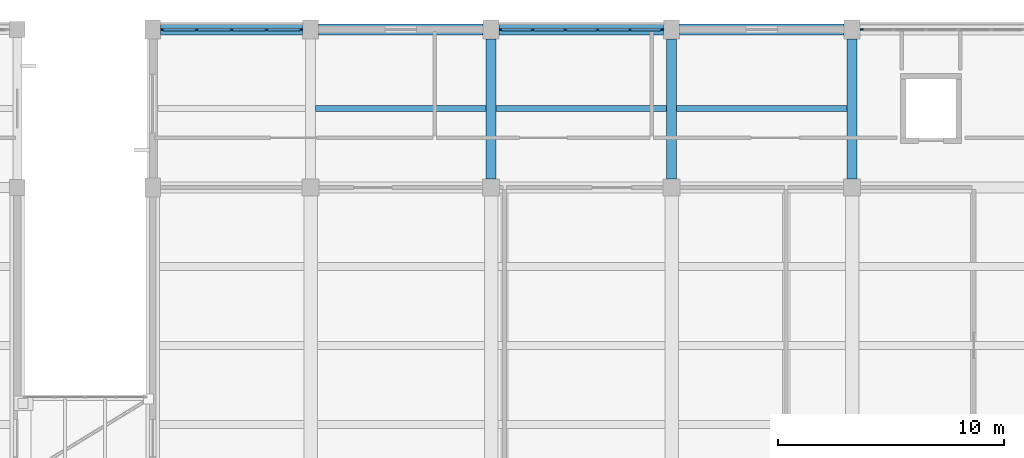
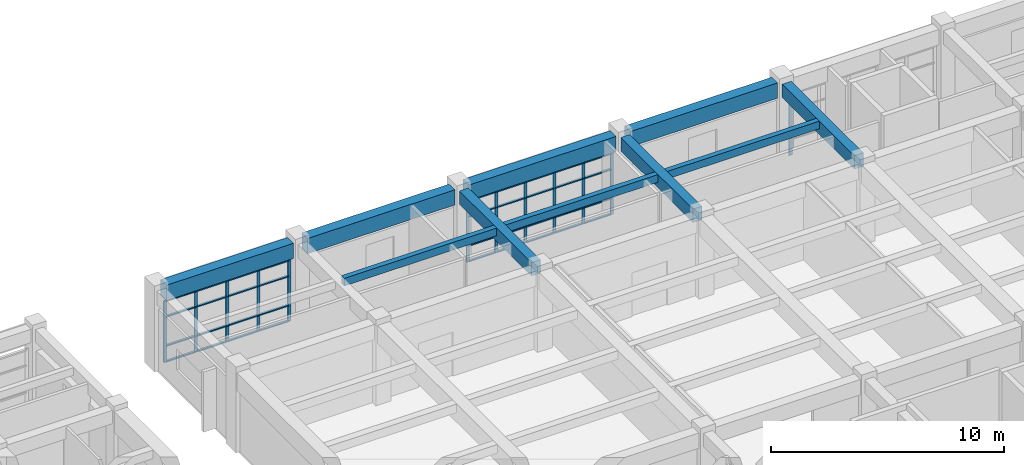
# One storey, part 30 of 70: 48 members, 10 beams, 3 elements without a shape of their own.
"""IFC4 building model written with IfcOpenShell, lengths in metres."""

import ifcopenshell
import ifcopenshell.guid

model = None  # the IFC model being written
_history = None  # IfcOwnerHistory: only IFC2X3 demands one
_inside = {}  # id of a spatial element -> (the spatial element, [elements in it])
_under = {}  # id of a project, library or spatial element -> (it, [spatial elements below it])
_declared = {}  # id of a project -> (the project, [libraries it declares])
_typed = {}  # id of a type object -> (the type object, [elements of that type])
_made_of = {}  # id of a material, layer set ... -> (it, [elements and type objects made of it])


def new_model(schema):
    """Start an empty IFC model of exactly this schema.

    Asked for "IFC4X3", IfcOpenShell would pick the latest addendum, in which some entities
    have other attributes; the version numbers below select the first issue.
    IFC2X3 requires an IfcOwnerHistory on every rooted entity: one is made here for all.
    """
    global model, _history
    if schema == "IFC4X3":
        model = ifcopenshell.file(schema_version=(4, 3, 0, 0))
    else:
        model = ifcopenshell.file(schema=schema)
    _inside.clear()
    _under.clear()
    _declared.clear()
    _typed.clear()
    _made_of.clear()
    _history = None
    if model.schema == "IFC2X3":
        org = make("IfcOrganization", Name="unknown")
        user = make(
            "IfcPersonAndOrganization",
            ThePerson=make("IfcPerson", FamilyName="unknown"),
            TheOrganization=org,
        )
        app = make(
            "IfcApplication",
            ApplicationDeveloper=org,
            Version="unknown",
            ApplicationFullName="unknown",
            ApplicationIdentifier="unknown",
        )
        _history = make(
            "IfcOwnerHistory",
            OwningUser=user,
            OwningApplication=app,
            ChangeAction="ADDED",
            CreationDate=0,
        )
    return model


def make(cls, **values):
    """One entity of the class cls with the attributes given. An attribute that is None is left unset."""
    return model.create_entity(
        cls, **{name: value for name, value in values.items() if value is not None}
    )


def rooted(cls, **values):
    """An entity with a GlobalId (a new one), such as an element, a storey or a relation."""
    return make(cls, GlobalId=ifcopenshell.guid.new(), OwnerHistory=_history, **values)


def si_unit(unit_type, name, prefix=None):
    """IfcSIUnit, for example si_unit("LENGTHUNIT", "METRE", prefix="MILLI")."""
    return make("IfcSIUnit", UnitType=unit_type, Prefix=prefix, Name=name)


def assignment(units):
    """IfcUnitAssignment: the units of a project."""
    return None if units is None else make("IfcUnitAssignment", Units=units)


def point(xyz):
    """IfcCartesianPoint."""
    return None if xyz is None else make("IfcCartesianPoint", Coordinates=xyz)


def direction(xyz):
    """IfcDirection."""
    return None if xyz is None else make("IfcDirection", DirectionRatios=xyz)


def frame(location, z_axis=None, x_axis=None):
    """IfcAxis2Placement3D, a coordinate frame: its origin and axes. An axis left out is left unset."""
    return make(
        "IfcAxis2Placement3D",
        Location=point(location),
        Axis=direction(z_axis),
        RefDirection=direction(x_axis),
    )


def frame_2d(location, x_axis=None):
    """IfcAxis2Placement2D, a coordinate frame in the plane: its origin and x axis."""
    return make(
        "IfcAxis2Placement2D", Location=point(location), RefDirection=direction(x_axis)
    )


def origin():
    """The frame at (0, 0, 0) with its axes left unset."""
    return frame((0.0, 0.0, 0.0))


def origin_2d():
    """The frame at (0, 0) in the plane with its x axis left unset."""
    return frame_2d((0.0, 0.0))


def place(relative_to, where):
    """IfcLocalPlacement: puts the frame where relative to a parent placement (None: the world)."""
    return make(
        "IfcLocalPlacement", PlacementRelTo=relative_to, RelativePlacement=where
    )


def context(
    kind, dimensions, precision=None, world=None, true_north=None, identifier=None
):
    """IfcGeometricRepresentationContext, for example the 3D "Model" context."""
    return make(
        "IfcGeometricRepresentationContext",
        ContextIdentifier=identifier,
        ContextType=kind,
        CoordinateSpaceDimension=dimensions,
        Precision=precision,
        WorldCoordinateSystem=world,
        TrueNorth=true_north,
    )


def subcontext(parent, identifier, kind, view, scale=None):
    """IfcGeometricRepresentationSubContext, for example "Body" below "Model"."""
    return make(
        "IfcGeometricRepresentationSubContext",
        ContextIdentifier=identifier,
        ContextType=kind,
        ParentContext=parent,
        TargetScale=scale,
        TargetView=view,
    )


def project(units=None, contexts=None):
    """IfcProject with its units and contexts."""
    return rooted(
        "IfcProject",
        Name="project",
        RepresentationContexts=contexts,
        UnitsInContext=assignment(units),
    )


def spatial(cls, under=None, at=None, **own):
    """A site, building, storey or space (cls), placed at a placement, below another one or the project."""
    s = rooted(cls, ObjectPlacement=at, **own)
    if under is not None:
        _under.setdefault(under.id(), (under, []))[1].append(s)
    return s


def profile(cls, at=None, kind="AREA", **sizes):
    """A parametric profile (cls). Its sizes go by their IFC names, for example OverallWidth=200.0."""
    return make(cls, ProfileType=kind, Position=at, **sizes)


def rectangle(**sizes):
    """IfcRectangleProfileDef."""
    return profile("IfcRectangleProfileDef", **sizes)


def extrude(swept, where, along, depth):
    """IfcExtrudedAreaSolid: the profile swept, set in the frame where, extruded along a direction by depth."""
    return make(
        "IfcExtrudedAreaSolid",
        SweptArea=swept,
        Position=where,
        ExtrudedDirection=direction(along),
        Depth=depth,
    )


def shape(context_of_items, identifier, shape_type, items):
    """IfcShapeRepresentation: the items that make up one representation, for example the "Body"."""
    return make(
        "IfcShapeRepresentation",
        ContextOfItems=context_of_items,
        RepresentationIdentifier=identifier,
        RepresentationType=shape_type,
        Items=items,
    )


def material(Name=None, Category=None):
    """IfcMaterial."""
    return make("IfcMaterial", Name=Name, Category=Category)


def layer(
    of_material, thickness, ventilated=None, Name=None, Category=None, Priority=None
):
    """IfcMaterialLayer: one layer of a wall or slab, of a material (None: an air gap)."""
    return make(
        "IfcMaterialLayer",
        Material=of_material,
        LayerThickness=thickness,
        IsVentilated=ventilated,
        Name=Name,
        Category=Category,
        Priority=Priority,
    )


def layer_set(layers, Name=None):
    """IfcMaterialLayerSet."""
    return make("IfcMaterialLayerSet", MaterialLayers=layers, LayerSetName=Name)


def material_profile(
    of_material, cross_section, Name=None, Category=None, Priority=None
):
    """IfcMaterialProfile: a cross section and its material."""
    return make(
        "IfcMaterialProfile",
        Name=Name,
        Material=of_material,
        Profile=cross_section,
        Priority=Priority,
        Category=Category,
    )


def profile_set(profiles, Name=None, composite=None):
    """IfcMaterialProfileSet."""
    return make(
        "IfcMaterialProfileSet",
        Name=Name,
        MaterialProfiles=profiles,
        CompositeProfile=composite,
    )


def made_of(thing, what):
    """Note that an element or type object is made of a material, layer set ...; save() writes the relation."""
    if what is not None:
        _made_of.setdefault(what.id(), (what, []))[1].append(thing)
    return thing


def type_object(cls, material=None, **own):
    """A type object (cls), such as IfcWallType, which elements share."""
    return made_of(rooted(cls, **own), material)


def element(
    cls,
    number,
    at=None,
    inside=None,
    cuts=None,
    type_object=None,
    material=None,
    context=None,
    identifier="Body",
    shape_type=None,
    held_by="IfcProductDefinitionShape",
    body=None,
    shapes=None,
    **own,
):
    """One element of the class cls, such as IfcWall. Its Tag is "e" and its number.

    at: its placement. inside: the storey or other place that contains it. cuts: it is an
    opening in that element (IfcRelVoidsElement). A single representation is given by context,
    identifier, shape_type and body (its items); several are given by shapes. held_by: the class
    of the entity that holds the representations. save() writes the other relations.
    """
    e = rooted(cls, Tag="e%d" % number, ObjectPlacement=at, **own)
    if body is not None:
        shapes = [shape(context, identifier, shape_type, body)]
    if shapes is not None:
        e.Representation = make(held_by, Representations=shapes)
    if inside is not None:
        _inside.setdefault(inside.id(), (inside, []))[1].append(e)
    if cuts is not None:
        rooted(
            "IfcRelVoidsElement", RelatingBuildingElement=cuts, RelatedOpeningElement=e
        )
    if type_object is not None:
        _typed.setdefault(type_object.id(), (type_object, []))[1].append(e)
    return made_of(e, material)


def aggregate(whole, parts):
    """IfcRelAggregates: a whole, such as a stair, and the parts it consists of."""
    return rooted("IfcRelAggregates", RelatingObject=whole, RelatedObjects=parts)


def save(model, path):
    """Write the relations noted so far, then the file.

    IfcRelAggregates (storeys below a building ...), IfcRelContainedInSpatialStructure (elements
    in a storey), IfcRelDefinesByType, IfcRelAssociatesMaterial and IfcRelDeclares: one each for
    every whole, place, type object, material and project.
    """
    for whole, parts in _under.values():
        aggregate(whole, parts)
    for where, things in _inside.values():
        rooted(
            "IfcRelContainedInSpatialStructure",
            RelatedElements=things,
            RelatingStructure=where,
        )
    for kind, things in _typed.values():
        rooted("IfcRelDefinesByType", RelatedObjects=things, RelatingType=kind)
    for what, things in _made_of.values():
        rooted("IfcRelAssociatesMaterial", RelatedObjects=things, RelatingMaterial=what)
    for by, libraries in _declared.values():
        rooted("IfcRelDeclares", RelatingContext=by, RelatedDefinitions=libraries)
    model.write(path)


model = new_model("IFC4")

# Units and contexts
model_context = context("Model", 3, precision=1e-05, world=origin(), true_north=direction((0.0, 1.0)))
body_context = subcontext(model_context, "Body", "Model", "MODEL_VIEW")
ifc_project = project(units=[si_unit("LENGTHUNIT", "METRE"), si_unit("AREAUNIT", "SQUARE_METRE"), si_unit("VOLUMEUNIT", "CUBIC_METRE"), si_unit("PLANEANGLEUNIT", "RADIAN"), si_unit("MASSUNIT", "GRAM", prefix="KILO")], contexts=[model_context])

# Site, building, storey
site_placement = place(None, origin())
site = spatial("IfcSite", under=ifc_project, at=site_placement, CompositionType="ELEMENT")
building_placement = place(site_placement, origin())
building = spatial("IfcBuilding", under=site, at=building_placement, Name="Naurynzar Civic Courthouse", CompositionType="ELEMENT")
storey_placement = place(building_placement, frame((0.0, 0.0, 5.39990234375)))
storey = spatial("IfcBuildingStorey", under=building, at=storey_placement, Name="L02", CompositionType="ELEMENT", Elevation=5.39990234375)

# Beams
ifc_material_1 = material(Name="Concrete C40/50", Category="concrete")
ifc_material_profile_1 = material_profile(ifc_material_1, rectangle(XDim=0.25, YDim=0.39990234375, at=origin_2d()), Name="RCB 250x400")
ifc_profile_set_1 = profile_set([ifc_material_profile_1], Name="Concrete C40/50")
beam_type_1 = type_object("IfcBeamType", Name="BM-JST-250x400", PredefinedType="JOIST", material=ifc_profile_set_1)
for number, where, z_axis, x_axis, name in (
    (1, (69.22509765625, 68.5, 4.0), (1.0, 0.0, 0.0), (0.0, 1.0, 0.0), "V2 secondary rib 555 L02"),
    (2, (77.22509765625, 68.5, 4.0), (1.0, 0.0, 0.0), (0.0, 1.0, 0.0), "V2 secondary rib 556 L02"),
    (3, (85.22509765625, 68.5, 4.0), (1.0, 0.0, 0.0), (0.0, 1.0, 0.0), "V2 secondary rib 557 L02"),
):
    element("IfcBeam", number, at=place(storey_placement, frame(where, z_axis=z_axis, x_axis=x_axis)), inside=storey, type_object=beam_type_1, Name=name, PredefinedType="JOIST", context=body_context, shape_type="SweptSolid", body=[
        extrude(rectangle(XDim=0.25, YDim=0.39990234375, at=origin_2d()), origin(), (0.0, 0.0, 1.0), 7.5498046875),
    ])
ifc_material_2 = material(Name="Concrete C40/50", Category="concrete")
ifc_material_profile_2 = material_profile(ifc_material_2, rectangle(XDim=0.449951171875, YDim=0.699951171875, at=origin_2d()), Name="RCB 450x700")
ifc_profile_set_2 = profile_set([ifc_material_profile_2], Name="Concrete C40/50")
beam_type_2 = type_object("IfcBeamType", Name="BM-RC-450x700", PredefinedType="BEAM", material=ifc_profile_set_2)
for number, where, z_axis, x_axis, name in (
    (4, (77.0, 65.375, 3.85009765625), (0.0, 1.0, 0.0), (-1.0, 0.0, 0.0), "V2 girder Y-507 L02"),
    (5, (85.0, 65.375, 3.85009765625), (0.0, 1.0, 0.0), (-1.0, 0.0, 0.0), "V2 girder Y-510 L02"),
    (6, (93.0, 65.375, 3.85009765625), (0.0, 1.0, 0.0), (-1.0, 0.0, 0.0), "V2 girder Y-513 L02"),
):
    element("IfcBeam", number, at=place(storey_placement, frame(where, z_axis=z_axis, x_axis=x_axis)), inside=storey, type_object=beam_type_2, Name=name, PredefinedType="BEAM", context=body_context, shape_type="SweptSolid", body=[
        extrude(rectangle(XDim=0.449951171875, YDim=0.699951171875, at=origin_2d()), origin(), (0.0, 0.0, 1.0), 6.199951171875),
    ])
ifc_material_3 = material(Name="Concrete C40/50", Category="concrete")
ifc_material_profile_3 = material_profile(ifc_material_3, rectangle(XDim=0.5, YDim=0.800048828125, at=origin_2d()), Name="RCB 500x800")
ifc_profile_set_3 = profile_set([ifc_material_profile_3], Name="Concrete C40/50")
beam_type_3 = type_object("IfcBeamType", Name="BM-RC-500x800", PredefinedType="BEAM", material=ifc_profile_set_3)
beam_placement = place(storey_placement, frame((62.35009765625, 72.0, 3.800048828125), z_axis=(1.0, 0.0, 0.0), x_axis=(0.0, 1.0, 0.0)))
element("IfcBeam", 7, at=beam_placement, inside=storey, type_object=beam_type_3, Name="V2 beam X-491 L02", PredefinedType="BEAM", context=body_context, shape_type="SweptSolid", body=[
    extrude(rectangle(XDim=0.5, YDim=0.800048828125, at=origin_2d()), origin(), (0.0, 0.0, 1.0), 6.2998046875),
])
for number, where, z_axis, x_axis, name in (
    (8, (69.35009765625, 72.0, 3.800048828125), (1.0, 0.0, 0.0), (0.0, 1.0, 0.0), "V2 beam X-492 L02"),
    (9, (77.35009765625, 72.0, 3.800048828125), (1.0, 0.0, 0.0), (0.0, 1.0, 0.0), "V2 beam X-493 L02"),
    (10, (85.35009765625, 72.0, 3.800048828125), (1.0, 0.0, 0.0), (0.0, 1.0, 0.0), "V2 beam X-494 L02"),
):
    element("IfcBeam", number, at=place(storey_placement, frame(where, z_axis=z_axis, x_axis=x_axis)), inside=storey, type_object=beam_type_3, Name=name, PredefinedType="BEAM", context=body_context, shape_type="SweptSolid", body=[
        extrude(rectangle(XDim=0.5, YDim=0.800048828125, at=origin_2d()), origin(), (0.0, 0.0, 1.0), 7.2998046875),
    ])

# Curtain wall, members
ifc_material_4 = material(Name="Aluminium 6063-T6", Category="aluminium")
ifc_layer = layer(ifc_material_4, 0.179931640625)
ifc_layer_set = layer_set([ifc_layer], Name="CW-UNIT-1500")
curtain_wall_type = type_object("IfcCurtainWallType", Name="CW-UNIT-1500", PredefinedType="NOTDEFINED", material=ifc_layer_set)
curtain_wall_1_placement = place(storey_placement, origin())
curtain_wall_1 = element("IfcCurtainWall", 11, at=curtain_wall_1_placement, inside=storey, type_object=curtain_wall_type, Name="V2 unitised curtain wall 19 L02", PredefinedType="NOTDEFINED")
ifc_material_5 = material(Name="Aluminium 6063-T6", Category="aluminium")
ifc_material_profile_4 = material_profile(ifc_material_5, rectangle(XDim=0.06005859375, YDim=0.14990234375, at=origin_2d()), Name="ALU MULLION 60x150")
ifc_profile_set_4 = profile_set([ifc_material_profile_4], Name="Aluminium 6063-T6")
member_type_1 = type_object("IfcMemberType", Name="CWM-60x150", PredefinedType="MULLION", material=ifc_profile_set_4)
member_1_placement = place(storey_placement, frame((62.429931640625, 72.0, 0.0), z_axis=(0.0, 0.0, 1.0), x_axis=(0.0, 1.0, 0.0)))
member_1 = element("IfcMember", 12, at=member_1_placement, type_object=member_type_1, Name="CW-01 mullion 1", PredefinedType="MULLION", context=body_context, shape_type="SweptSolid", body=[
    extrude(rectangle(XDim=0.06005859375, YDim=0.14990234375, at=origin_2d()), origin(), (0.0, 0.0, 1.0), 3.22998046875),
])
member_2_placement = place(storey_placement, frame((63.949951171875, 72.0, 0.0), z_axis=(0.0, 0.0, 1.0), x_axis=(0.0, 1.0, 0.0)))
member_2 = element("IfcMember", 13, at=member_2_placement, type_object=member_type_1, Name="CW-01 mullion 2", PredefinedType="MULLION", context=body_context, shape_type="SweptSolid", body=[
    extrude(rectangle(XDim=0.06005859375, YDim=0.14990234375, at=origin_2d()), origin(), (0.0, 0.0, 1.0), 3.22998046875),
])
member_3_placement = place(storey_placement, frame((65.5, 72.0, 0.0), z_axis=(0.0, 0.0, 1.0), x_axis=(0.0, 1.0, 0.0)))
member_3 = element("IfcMember", 14, at=member_3_placement, type_object=member_type_1, Name="CW-01 mullion 3", PredefinedType="MULLION", context=body_context, shape_type="SweptSolid", body=[
    extrude(rectangle(XDim=0.06005859375, YDim=0.14990234375, at=origin_2d()), origin(), (0.0, 0.0, 1.0), 3.22998046875),
])
member_4_placement = place(storey_placement, frame((67.050048828125, 72.0, 0.0), z_axis=(0.0, 0.0, 1.0), x_axis=(0.0, 1.0, 0.0)))
member_4 = element("IfcMember", 15, at=member_4_placement, type_object=member_type_1, Name="CW-01 mullion 4", PredefinedType="MULLION", context=body_context, shape_type="SweptSolid", body=[
    extrude(rectangle(XDim=0.06005859375, YDim=0.14990234375, at=origin_2d()), origin(), (0.0, 0.0, 1.0), 3.22998046875),
])
member_5_placement = place(storey_placement, frame((68.570068359375, 72.0, 0.0), z_axis=(0.0, 0.0, 1.0), x_axis=(0.0, 1.0, 0.0)))
member_5 = element("IfcMember", 16, at=member_5_placement, type_object=member_type_1, Name="CW-01 mullion 5", PredefinedType="MULLION", context=body_context, shape_type="SweptSolid", body=[
    extrude(rectangle(XDim=0.06005859375, YDim=0.14990234375, at=origin_2d()), origin(), (0.0, 0.0, 1.0), 3.22998046875),
])

curtain_wall_2_placement = place(storey_placement, origin())
curtain_wall_2 = element("IfcCurtainWall", 17, at=curtain_wall_2_placement, inside=storey, type_object=curtain_wall_type, Name="V2 unitised curtain wall 20 L02", PredefinedType="NOTDEFINED")
member_6_placement = place(storey_placement, frame((77.429931640625, 72.0, 0.0), z_axis=(0.0, 0.0, 1.0), x_axis=(0.0, 1.0, 0.0)))
member_6 = element("IfcMember", 18, at=member_6_placement, type_object=member_type_1, Name="CW-01 mullion 1", PredefinedType="MULLION", context=body_context, shape_type="SweptSolid", body=[
    extrude(rectangle(XDim=0.06005859375, YDim=0.14990234375, at=origin_2d()), origin(), (0.0, 0.0, 1.0), 3.22998046875),
])
member_7_placement = place(storey_placement, frame((78.840087890625, 72.0, 0.0), z_axis=(0.0, 0.0, 1.0), x_axis=(0.0, 1.0, 0.0)))
member_7 = element("IfcMember", 19, at=member_7_placement, type_object=member_type_1, Name="CW-01 mullion 2", PredefinedType="MULLION", context=body_context, shape_type="SweptSolid", body=[
    extrude(rectangle(XDim=0.06005859375, YDim=0.14990234375, at=origin_2d()), origin(), (0.0, 0.0, 1.0), 3.22998046875),
])
member_8_placement = place(storey_placement, frame((80.280029296875, 72.0, 0.0), z_axis=(0.0, 0.0, 1.0), x_axis=(0.0, 1.0, 0.0)))
member_8 = element("IfcMember", 20, at=member_8_placement, type_object=member_type_1, Name="CW-01 mullion 3", PredefinedType="MULLION", context=body_context, shape_type="SweptSolid", body=[
    extrude(rectangle(XDim=0.06005859375, YDim=0.14990234375, at=origin_2d()), origin(), (0.0, 0.0, 1.0), 3.22998046875),
])
member_9_placement = place(storey_placement, frame((81.719970703125, 72.0, 0.0), z_axis=(0.0, 0.0, 1.0), x_axis=(0.0, 1.0, 0.0)))
member_9 = element("IfcMember", 21, at=member_9_placement, type_object=member_type_1, Name="CW-01 mullion 4", PredefinedType="MULLION", context=body_context, shape_type="SweptSolid", body=[
    extrude(rectangle(XDim=0.06005859375, YDim=0.14990234375, at=origin_2d()), origin(), (0.0, 0.0, 1.0), 3.22998046875),
])
member_10_placement = place(storey_placement, frame((83.159912109375, 72.0, 0.0), z_axis=(0.0, 0.0, 1.0), x_axis=(0.0, 1.0, 0.0)))
member_10 = element("IfcMember", 22, at=member_10_placement, type_object=member_type_1, Name="CW-01 mullion 5", PredefinedType="MULLION", context=body_context, shape_type="SweptSolid", body=[
    extrude(rectangle(XDim=0.06005859375, YDim=0.14990234375, at=origin_2d()), origin(), (0.0, 0.0, 1.0), 3.22998046875),
])
member_11_placement = place(storey_placement, frame((84.570068359375, 72.0, 0.0), z_axis=(0.0, 0.0, 1.0), x_axis=(0.0, 1.0, 0.0)))
member_11 = element("IfcMember", 23, at=member_11_placement, type_object=member_type_1, Name="CW-01 mullion 6", PredefinedType="MULLION", context=body_context, shape_type="SweptSolid", body=[
    extrude(rectangle(XDim=0.06005859375, YDim=0.14990234375, at=origin_2d()), origin(), (0.0, 0.0, 1.0), 3.22998046875),
])

# Curtain wall, member
curtain_wall_3_placement = place(storey_placement, origin())
curtain_wall_3 = element("IfcCurtainWall", 24, at=curtain_wall_3_placement, inside=storey, type_object=curtain_wall_type, Name="V2 unitised curtain wall 21 L02", PredefinedType="NOTDEFINED")
member_12_placement = place(storey_placement, frame((93.429931640625, 72.0, 0.0), z_axis=(0.0, 0.0, 1.0), x_axis=(0.0, 1.0, 0.0)))
member_12 = element("IfcMember", 25, at=member_12_placement, type_object=member_type_1, Name="CW-01 mullion 1", PredefinedType="MULLION", context=body_context, shape_type="SweptSolid", body=[
    extrude(rectangle(XDim=0.06005859375, YDim=0.14990234375, at=origin_2d()), origin(), (0.0, 0.0, 1.0), 3.22998046875),
])
aggregate(curtain_wall_3, [member_12])

# Member
ifc_material_6 = material(Name="Aluminium 6063-T6", Category="aluminium")
ifc_material_profile_5 = material_profile(ifc_material_6, rectangle(XDim=0.110107421875, YDim=0.06005859375, at=origin_2d()), Name="ALU TRANSOM 60x110")
ifc_profile_set_5 = profile_set([ifc_material_profile_5], Name="Aluminium 6063-T6")
member_type_2 = type_object("IfcMemberType", Name="CWT-60x110", PredefinedType="USERDEFINED", material=ifc_profile_set_5)
member_13_placement = place(storey_placement, frame((62.4599609375, 72.0, 0.030029296875), z_axis=(1.0, 0.0, 0.0), x_axis=(0.0, 1.0, 0.0)))
member_13 = element("IfcMember", 26, at=member_13_placement, type_object=member_type_2, Name="CW-01 transom 1.1", ObjectType="TRANSOM", PredefinedType="USERDEFINED", context=body_context, shape_type="SweptSolid", body=[
    extrude(rectangle(XDim=0.110107421875, YDim=0.06005859375, at=origin_2d()), origin(), (0.0, 0.0, 1.0), 1.4599609375),
])

member_14_placement = place(storey_placement, frame((62.4599609375, 72.0, 0.85009765625), z_axis=(1.0, 0.0, 0.0), x_axis=(0.0, 1.0, 0.0)))
member_14 = element("IfcMember", 27, at=member_14_placement, type_object=member_type_2, Name="CW-01 transom 1.2", ObjectType="TRANSOM", PredefinedType="USERDEFINED", context=body_context, shape_type="SweptSolid", body=[
    extrude(rectangle(XDim=0.110107421875, YDim=0.06005859375, at=origin_2d()), origin(), (0.0, 0.0, 1.0), 1.4599609375),
])

member_15_placement = place(storey_placement, frame((62.4599609375, 72.0, 2.380126953125), z_axis=(1.0, 0.0, 0.0), x_axis=(0.0, 1.0, 0.0)))
member_15 = element("IfcMember", 28, at=member_15_placement, type_object=member_type_2, Name="CW-01 transom 1.3", ObjectType="TRANSOM", PredefinedType="USERDEFINED", context=body_context, shape_type="SweptSolid", body=[
    extrude(rectangle(XDim=0.110107421875, YDim=0.06005859375, at=origin_2d()), origin(), (0.0, 0.0, 1.0), 1.4599609375),
])

member_16_placement = place(storey_placement, frame((62.4599609375, 72.0, 3.2001953125), z_axis=(1.0, 0.0, 0.0), x_axis=(0.0, 1.0, 0.0)))
member_16 = element("IfcMember", 29, at=member_16_placement, type_object=member_type_2, Name="CW-01 transom 1.4", ObjectType="TRANSOM", PredefinedType="USERDEFINED", context=body_context, shape_type="SweptSolid", body=[
    extrude(rectangle(XDim=0.110107421875, YDim=0.06005859375, at=origin_2d()), origin(), (0.0, 0.0, 1.0), 1.4599609375),
])

member_17_placement = place(storey_placement, frame((63.97998046875, 72.0, 0.030029296875), z_axis=(1.0, 0.0, 0.0), x_axis=(0.0, 1.0, 0.0)))
member_17 = element("IfcMember", 30, at=member_17_placement, type_object=member_type_2, Name="CW-01 transom 2.1", ObjectType="TRANSOM", PredefinedType="USERDEFINED", context=body_context, shape_type="SweptSolid", body=[
    extrude(rectangle(XDim=0.110107421875, YDim=0.06005859375, at=origin_2d()), origin(), (0.0, 0.0, 1.0), 1.489990234375),
])

member_18_placement = place(storey_placement, frame((63.97998046875, 72.0, 0.85009765625), z_axis=(1.0, 0.0, 0.0), x_axis=(0.0, 1.0, 0.0)))
member_18 = element("IfcMember", 31, at=member_18_placement, type_object=member_type_2, Name="CW-01 transom 2.2", ObjectType="TRANSOM", PredefinedType="USERDEFINED", context=body_context, shape_type="SweptSolid", body=[
    extrude(rectangle(XDim=0.110107421875, YDim=0.06005859375, at=origin_2d()), origin(), (0.0, 0.0, 1.0), 1.489990234375),
])

member_19_placement = place(storey_placement, frame((63.97998046875, 72.0, 2.380126953125), z_axis=(1.0, 0.0, 0.0), x_axis=(0.0, 1.0, 0.0)))
member_19 = element("IfcMember", 32, at=member_19_placement, type_object=member_type_2, Name="CW-01 transom 2.3", ObjectType="TRANSOM", PredefinedType="USERDEFINED", context=body_context, shape_type="SweptSolid", body=[
    extrude(rectangle(XDim=0.110107421875, YDim=0.06005859375, at=origin_2d()), origin(), (0.0, 0.0, 1.0), 1.489990234375),
])

member_20_placement = place(storey_placement, frame((63.97998046875, 72.0, 3.2001953125), z_axis=(1.0, 0.0, 0.0), x_axis=(0.0, 1.0, 0.0)))
member_20 = element("IfcMember", 33, at=member_20_placement, type_object=member_type_2, Name="CW-01 transom 2.4", ObjectType="TRANSOM", PredefinedType="USERDEFINED", context=body_context, shape_type="SweptSolid", body=[
    extrude(rectangle(XDim=0.110107421875, YDim=0.06005859375, at=origin_2d()), origin(), (0.0, 0.0, 1.0), 1.489990234375),
])

member_21_placement = place(storey_placement, frame((65.530029296875, 72.0, 0.030029296875), z_axis=(1.0, 0.0, 0.0), x_axis=(0.0, 1.0, 0.0)))
member_21 = element("IfcMember", 34, at=member_21_placement, type_object=member_type_2, Name="CW-01 transom 3.1", ObjectType="TRANSOM", PredefinedType="USERDEFINED", context=body_context, shape_type="SweptSolid", body=[
    extrude(rectangle(XDim=0.110107421875, YDim=0.06005859375, at=origin_2d()), origin(), (0.0, 0.0, 1.0), 1.489990234375),
])

member_22_placement = place(storey_placement, frame((65.530029296875, 72.0, 0.85009765625), z_axis=(1.0, 0.0, 0.0), x_axis=(0.0, 1.0, 0.0)))
member_22 = element("IfcMember", 35, at=member_22_placement, type_object=member_type_2, Name="CW-01 transom 3.2", ObjectType="TRANSOM", PredefinedType="USERDEFINED", context=body_context, shape_type="SweptSolid", body=[
    extrude(rectangle(XDim=0.110107421875, YDim=0.06005859375, at=origin_2d()), origin(), (0.0, 0.0, 1.0), 1.489990234375),
])

member_23_placement = place(storey_placement, frame((65.530029296875, 72.0, 2.380126953125), z_axis=(1.0, 0.0, 0.0), x_axis=(0.0, 1.0, 0.0)))
member_23 = element("IfcMember", 36, at=member_23_placement, type_object=member_type_2, Name="CW-01 transom 3.3", ObjectType="TRANSOM", PredefinedType="USERDEFINED", context=body_context, shape_type="SweptSolid", body=[
    extrude(rectangle(XDim=0.110107421875, YDim=0.06005859375, at=origin_2d()), origin(), (0.0, 0.0, 1.0), 1.489990234375),
])

member_24_placement = place(storey_placement, frame((65.530029296875, 72.0, 3.2001953125), z_axis=(1.0, 0.0, 0.0), x_axis=(0.0, 1.0, 0.0)))
member_24 = element("IfcMember", 37, at=member_24_placement, type_object=member_type_2, Name="CW-01 transom 3.4", ObjectType="TRANSOM", PredefinedType="USERDEFINED", context=body_context, shape_type="SweptSolid", body=[
    extrude(rectangle(XDim=0.110107421875, YDim=0.06005859375, at=origin_2d()), origin(), (0.0, 0.0, 1.0), 1.489990234375),
])

member_25_placement = place(storey_placement, frame((67.080078125, 72.0, 0.030029296875), z_axis=(1.0, 0.0, 0.0), x_axis=(0.0, 1.0, 0.0)))
member_25 = element("IfcMember", 38, at=member_25_placement, type_object=member_type_2, Name="CW-01 transom 4.1", ObjectType="TRANSOM", PredefinedType="USERDEFINED", context=body_context, shape_type="SweptSolid", body=[
    extrude(rectangle(XDim=0.110107421875, YDim=0.06005859375, at=origin_2d()), origin(), (0.0, 0.0, 1.0), 1.4599609375),
])

member_26_placement = place(storey_placement, frame((67.080078125, 72.0, 0.85009765625), z_axis=(1.0, 0.0, 0.0), x_axis=(0.0, 1.0, 0.0)))
member_26 = element("IfcMember", 39, at=member_26_placement, type_object=member_type_2, Name="CW-01 transom 4.2", ObjectType="TRANSOM", PredefinedType="USERDEFINED", context=body_context, shape_type="SweptSolid", body=[
    extrude(rectangle(XDim=0.110107421875, YDim=0.06005859375, at=origin_2d()), origin(), (0.0, 0.0, 1.0), 1.4599609375),
])

member_27_placement = place(storey_placement, frame((67.080078125, 72.0, 2.380126953125), z_axis=(1.0, 0.0, 0.0), x_axis=(0.0, 1.0, 0.0)))
member_27 = element("IfcMember", 40, at=member_27_placement, type_object=member_type_2, Name="CW-01 transom 4.3", ObjectType="TRANSOM", PredefinedType="USERDEFINED", context=body_context, shape_type="SweptSolid", body=[
    extrude(rectangle(XDim=0.110107421875, YDim=0.06005859375, at=origin_2d()), origin(), (0.0, 0.0, 1.0), 1.4599609375),
])

member_28_placement = place(storey_placement, frame((67.080078125, 72.0, 3.2001953125), z_axis=(1.0, 0.0, 0.0), x_axis=(0.0, 1.0, 0.0)))
member_28 = element("IfcMember", 41, at=member_28_placement, type_object=member_type_2, Name="CW-01 transom 4.4", ObjectType="TRANSOM", PredefinedType="USERDEFINED", context=body_context, shape_type="SweptSolid", body=[
    extrude(rectangle(XDim=0.110107421875, YDim=0.06005859375, at=origin_2d()), origin(), (0.0, 0.0, 1.0), 1.4599609375),
])

aggregate(curtain_wall_1, [member_1, member_2, member_3, member_4, member_5, member_13, member_14, member_15, member_16, member_17, member_18, member_19, member_20, member_21, member_22, member_23, member_24, member_25, member_26, member_27, member_28])

member_29_placement = place(storey_placement, frame((77.4599609375, 72.0, 0.030029296875), z_axis=(1.0, 0.0, 0.0), x_axis=(0.0, 1.0, 0.0)))
member_29 = element("IfcMember", 42, at=member_29_placement, type_object=member_type_2, Name="CW-01 transom 1.1", ObjectType="TRANSOM", PredefinedType="USERDEFINED", context=body_context, shape_type="SweptSolid", body=[
    extrude(rectangle(XDim=0.110107421875, YDim=0.06005859375, at=origin_2d()), origin(), (0.0, 0.0, 1.0), 1.35009765625),
])

member_30_placement = place(storey_placement, frame((77.4599609375, 72.0, 0.85009765625), z_axis=(1.0, 0.0, 0.0), x_axis=(0.0, 1.0, 0.0)))
member_30 = element("IfcMember", 43, at=member_30_placement, type_object=member_type_2, Name="CW-01 transom 1.2", ObjectType="TRANSOM", PredefinedType="USERDEFINED", context=body_context, shape_type="SweptSolid", body=[
    extrude(rectangle(XDim=0.110107421875, YDim=0.06005859375, at=origin_2d()), origin(), (0.0, 0.0, 1.0), 1.35009765625),
])

member_31_placement = place(storey_placement, frame((77.4599609375, 72.0, 2.380126953125), z_axis=(1.0, 0.0, 0.0), x_axis=(0.0, 1.0, 0.0)))
member_31 = element("IfcMember", 44, at=member_31_placement, type_object=member_type_2, Name="CW-01 transom 1.3", ObjectType="TRANSOM", PredefinedType="USERDEFINED", context=body_context, shape_type="SweptSolid", body=[
    extrude(rectangle(XDim=0.110107421875, YDim=0.06005859375, at=origin_2d()), origin(), (0.0, 0.0, 1.0), 1.35009765625),
])

member_32_placement = place(storey_placement, frame((77.4599609375, 72.0, 3.2001953125), z_axis=(1.0, 0.0, 0.0), x_axis=(0.0, 1.0, 0.0)))
member_32 = element("IfcMember", 45, at=member_32_placement, type_object=member_type_2, Name="CW-01 transom 1.4", ObjectType="TRANSOM", PredefinedType="USERDEFINED", context=body_context, shape_type="SweptSolid", body=[
    extrude(rectangle(XDim=0.110107421875, YDim=0.06005859375, at=origin_2d()), origin(), (0.0, 0.0, 1.0), 1.35009765625),
])

member_33_placement = place(storey_placement, frame((78.8701171875, 72.0, 0.030029296875), z_axis=(1.0, 0.0, 0.0), x_axis=(0.0, 1.0, 0.0)))
member_33 = element("IfcMember", 46, at=member_33_placement, type_object=member_type_2, Name="CW-01 transom 2.1", ObjectType="TRANSOM", PredefinedType="USERDEFINED", context=body_context, shape_type="SweptSolid", body=[
    extrude(rectangle(XDim=0.110107421875, YDim=0.06005859375, at=origin_2d()), origin(), (0.0, 0.0, 1.0), 1.3798828125),
])

member_34_placement = place(storey_placement, frame((78.8701171875, 72.0, 0.85009765625), z_axis=(1.0, 0.0, 0.0), x_axis=(0.0, 1.0, 0.0)))
member_34 = element("IfcMember", 47, at=member_34_placement, type_object=member_type_2, Name="CW-01 transom 2.2", ObjectType="TRANSOM", PredefinedType="USERDEFINED", context=body_context, shape_type="SweptSolid", body=[
    extrude(rectangle(XDim=0.110107421875, YDim=0.06005859375, at=origin_2d()), origin(), (0.0, 0.0, 1.0), 1.3798828125),
])

member_35_placement = place(storey_placement, frame((78.8701171875, 72.0, 2.380126953125), z_axis=(1.0, 0.0, 0.0), x_axis=(0.0, 1.0, 0.0)))
member_35 = element("IfcMember", 48, at=member_35_placement, type_object=member_type_2, Name="CW-01 transom 2.3", ObjectType="TRANSOM", PredefinedType="USERDEFINED", context=body_context, shape_type="SweptSolid", body=[
    extrude(rectangle(XDim=0.110107421875, YDim=0.06005859375, at=origin_2d()), origin(), (0.0, 0.0, 1.0), 1.3798828125),
])

member_36_placement = place(storey_placement, frame((78.8701171875, 72.0, 3.2001953125), z_axis=(1.0, 0.0, 0.0), x_axis=(0.0, 1.0, 0.0)))
member_36 = element("IfcMember", 49, at=member_36_placement, type_object=member_type_2, Name="CW-01 transom 2.4", ObjectType="TRANSOM", PredefinedType="USERDEFINED", context=body_context, shape_type="SweptSolid", body=[
    extrude(rectangle(XDim=0.110107421875, YDim=0.06005859375, at=origin_2d()), origin(), (0.0, 0.0, 1.0), 1.3798828125),
])

member_37_placement = place(storey_placement, frame((80.31005859375, 72.0, 0.030029296875), z_axis=(1.0, 0.0, 0.0), x_axis=(0.0, 1.0, 0.0)))
member_37 = element("IfcMember", 50, at=member_37_placement, type_object=member_type_2, Name="CW-01 transom 3.1", ObjectType="TRANSOM", PredefinedType="USERDEFINED", context=body_context, shape_type="SweptSolid", body=[
    extrude(rectangle(XDim=0.110107421875, YDim=0.06005859375, at=origin_2d()), origin(), (0.0, 0.0, 1.0), 1.3798828125),
])

member_38_placement = place(storey_placement, frame((80.31005859375, 72.0, 0.85009765625), z_axis=(1.0, 0.0, 0.0), x_axis=(0.0, 1.0, 0.0)))
member_38 = element("IfcMember", 51, at=member_38_placement, type_object=member_type_2, Name="CW-01 transom 3.2", ObjectType="TRANSOM", PredefinedType="USERDEFINED", context=body_context, shape_type="SweptSolid", body=[
    extrude(rectangle(XDim=0.110107421875, YDim=0.06005859375, at=origin_2d()), origin(), (0.0, 0.0, 1.0), 1.3798828125),
])

member_39_placement = place(storey_placement, frame((80.31005859375, 72.0, 2.380126953125), z_axis=(1.0, 0.0, 0.0), x_axis=(0.0, 1.0, 0.0)))
member_39 = element("IfcMember", 52, at=member_39_placement, type_object=member_type_2, Name="CW-01 transom 3.3", ObjectType="TRANSOM", PredefinedType="USERDEFINED", context=body_context, shape_type="SweptSolid", body=[
    extrude(rectangle(XDim=0.110107421875, YDim=0.06005859375, at=origin_2d()), origin(), (0.0, 0.0, 1.0), 1.3798828125),
])

member_40_placement = place(storey_placement, frame((80.31005859375, 72.0, 3.2001953125), z_axis=(1.0, 0.0, 0.0), x_axis=(0.0, 1.0, 0.0)))
member_40 = element("IfcMember", 53, at=member_40_placement, type_object=member_type_2, Name="CW-01 transom 3.4", ObjectType="TRANSOM", PredefinedType="USERDEFINED", context=body_context, shape_type="SweptSolid", body=[
    extrude(rectangle(XDim=0.110107421875, YDim=0.06005859375, at=origin_2d()), origin(), (0.0, 0.0, 1.0), 1.3798828125),
])

member_41_placement = place(storey_placement, frame((81.75, 72.0, 0.030029296875), z_axis=(1.0, 0.0, 0.0), x_axis=(0.0, 1.0, 0.0)))
member_41 = element("IfcMember", 54, at=member_41_placement, type_object=member_type_2, Name="CW-01 transom 4.1", ObjectType="TRANSOM", PredefinedType="USERDEFINED", context=body_context, shape_type="SweptSolid", body=[
    extrude(rectangle(XDim=0.110107421875, YDim=0.06005859375, at=origin_2d()), origin(), (0.0, 0.0, 1.0), 1.3798828125),
])

member_42_placement = place(storey_placement, frame((81.75, 72.0, 0.85009765625), z_axis=(1.0, 0.0, 0.0), x_axis=(0.0, 1.0, 0.0)))
member_42 = element("IfcMember", 55, at=member_42_placement, type_object=member_type_2, Name="CW-01 transom 4.2", ObjectType="TRANSOM", PredefinedType="USERDEFINED", context=body_context, shape_type="SweptSolid", body=[
    extrude(rectangle(XDim=0.110107421875, YDim=0.06005859375, at=origin_2d()), origin(), (0.0, 0.0, 1.0), 1.3798828125),
])

member_43_placement = place(storey_placement, frame((81.75, 72.0, 2.380126953125), z_axis=(1.0, 0.0, 0.0), x_axis=(0.0, 1.0, 0.0)))
member_43 = element("IfcMember", 56, at=member_43_placement, type_object=member_type_2, Name="CW-01 transom 4.3", ObjectType="TRANSOM", PredefinedType="USERDEFINED", context=body_context, shape_type="SweptSolid", body=[
    extrude(rectangle(XDim=0.110107421875, YDim=0.06005859375, at=origin_2d()), origin(), (0.0, 0.0, 1.0), 1.3798828125),
])

member_44_placement = place(storey_placement, frame((81.75, 72.0, 3.2001953125), z_axis=(1.0, 0.0, 0.0), x_axis=(0.0, 1.0, 0.0)))
member_44 = element("IfcMember", 57, at=member_44_placement, type_object=member_type_2, Name="CW-01 transom 4.4", ObjectType="TRANSOM", PredefinedType="USERDEFINED", context=body_context, shape_type="SweptSolid", body=[
    extrude(rectangle(XDim=0.110107421875, YDim=0.06005859375, at=origin_2d()), origin(), (0.0, 0.0, 1.0), 1.3798828125),
])

member_45_placement = place(storey_placement, frame((83.18994140625, 72.0, 0.030029296875), z_axis=(1.0, 0.0, 0.0), x_axis=(0.0, 1.0, 0.0)))
member_45 = element("IfcMember", 58, at=member_45_placement, type_object=member_type_2, Name="CW-01 transom 5.1", ObjectType="TRANSOM", PredefinedType="USERDEFINED", context=body_context, shape_type="SweptSolid", body=[
    extrude(rectangle(XDim=0.110107421875, YDim=0.06005859375, at=origin_2d()), origin(), (0.0, 0.0, 1.0), 1.35009765625),
])

member_46_placement = place(storey_placement, frame((83.18994140625, 72.0, 0.85009765625), z_axis=(1.0, 0.0, 0.0), x_axis=(0.0, 1.0, 0.0)))
member_46 = element("IfcMember", 59, at=member_46_placement, type_object=member_type_2, Name="CW-01 transom 5.2", ObjectType="TRANSOM", PredefinedType="USERDEFINED", context=body_context, shape_type="SweptSolid", body=[
    extrude(rectangle(XDim=0.110107421875, YDim=0.06005859375, at=origin_2d()), origin(), (0.0, 0.0, 1.0), 1.35009765625),
])

member_47_placement = place(storey_placement, frame((83.18994140625, 72.0, 2.380126953125), z_axis=(1.0, 0.0, 0.0), x_axis=(0.0, 1.0, 0.0)))
member_47 = element("IfcMember", 60, at=member_47_placement, type_object=member_type_2, Name="CW-01 transom 5.3", ObjectType="TRANSOM", PredefinedType="USERDEFINED", context=body_context, shape_type="SweptSolid", body=[
    extrude(rectangle(XDim=0.110107421875, YDim=0.06005859375, at=origin_2d()), origin(), (0.0, 0.0, 1.0), 1.35009765625),
])

member_48_placement = place(storey_placement, frame((83.18994140625, 72.0, 3.2001953125), z_axis=(1.0, 0.0, 0.0), x_axis=(0.0, 1.0, 0.0)))
member_48 = element("IfcMember", 61, at=member_48_placement, type_object=member_type_2, Name="CW-01 transom 5.4", ObjectType="TRANSOM", PredefinedType="USERDEFINED", context=body_context, shape_type="SweptSolid", body=[
    extrude(rectangle(XDim=0.110107421875, YDim=0.06005859375, at=origin_2d()), origin(), (0.0, 0.0, 1.0), 1.35009765625),
])

aggregate(curtain_wall_2, [member_6, member_7, member_8, member_9, member_10, member_11, member_29, member_30, member_31, member_32, member_33, member_34, member_35, member_36, member_37, member_38, member_39, member_40, member_41, member_42, member_43, member_44, member_45, member_46, member_47, member_48])

save(model, "model.ifc")
